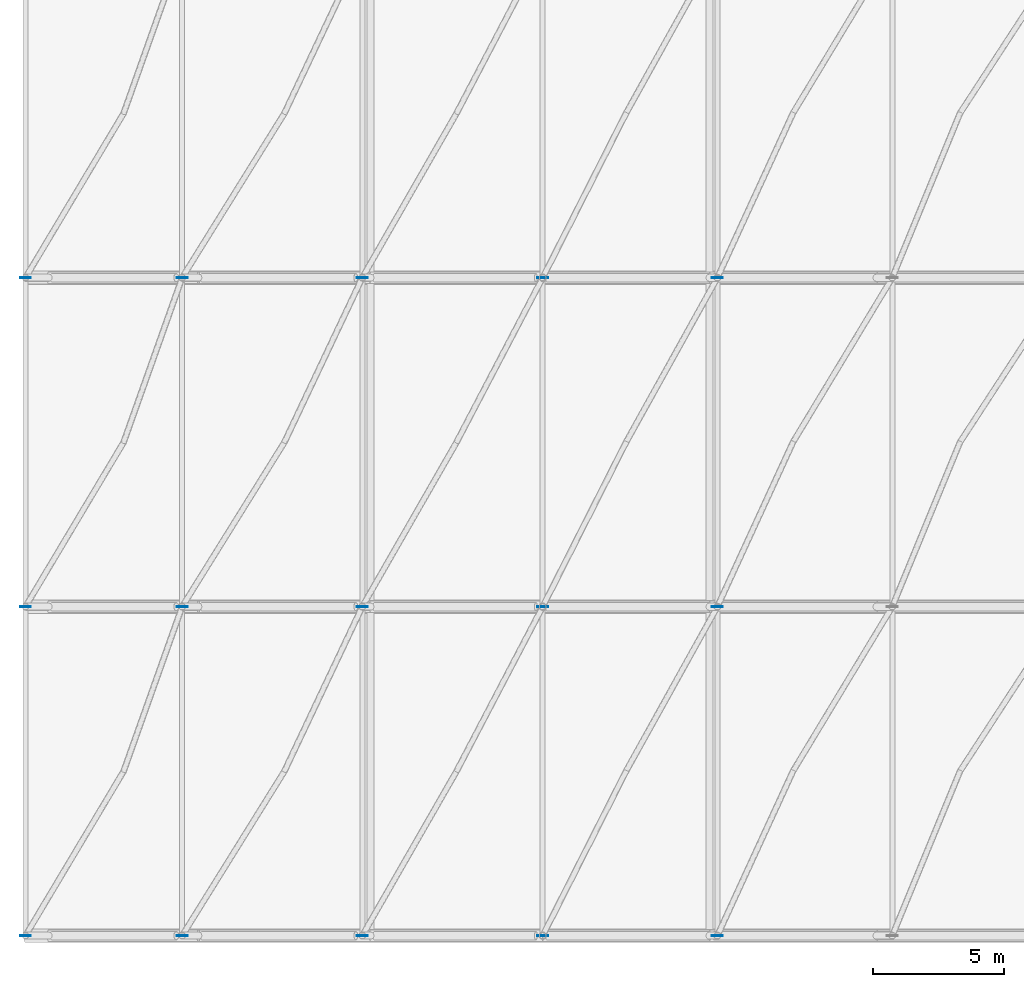
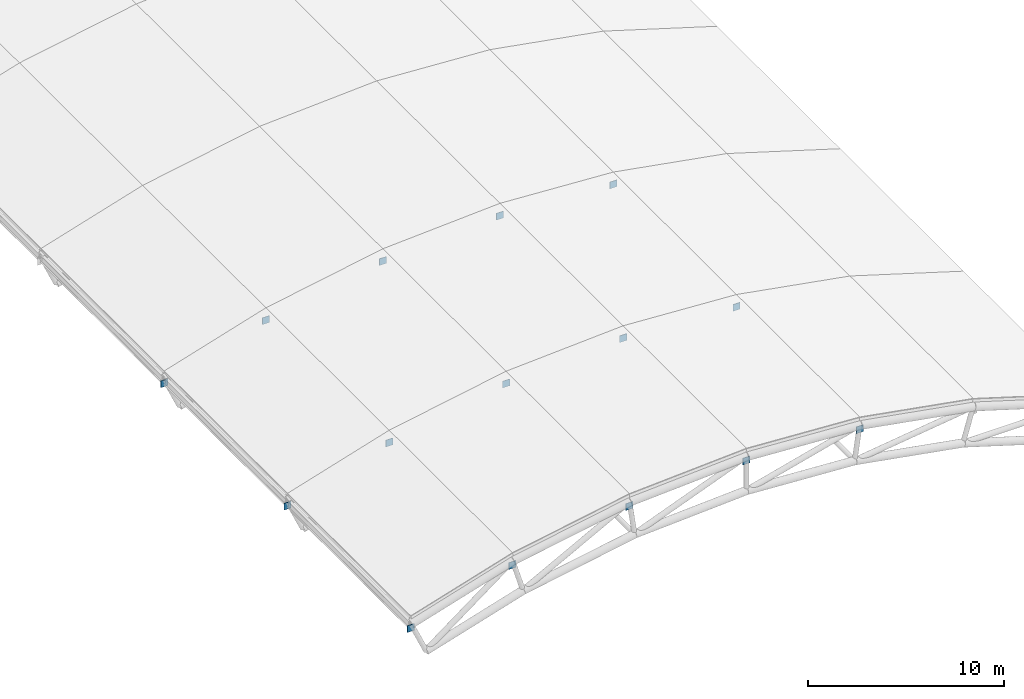
# One storey, part 13 of 18: 15 plates.
"""IFC4 building model written with IfcOpenShell, lengths in metres."""

from ifc_helpers import new_model, si_unit, derived_unit, direction, frame, origin, origin_2d, place, context, subcontext, project, spatial, rectangle, extrude, material, layer, layer_set, type_object, element, save


model = new_model("IFC4")

# Units and contexts
model_context = context("Model", 3, precision=1e-05, world=origin(), true_north=direction((0.0, 1.0)))
body_context = subcontext(model_context, "Body", "Model", "MODEL_VIEW")
ifc_project = project(units=[si_unit("LENGTHUNIT", "METRE"), si_unit("AREAUNIT", "SQUARE_METRE"), si_unit("VOLUMEUNIT", "CUBIC_METRE"), si_unit("PLANEANGLEUNIT", "RADIAN"), si_unit("MASSUNIT", "GRAM", prefix="KILO"), derived_unit("THERMALTRANSMITTANCEUNIT", [(si_unit("MASSUNIT", "GRAM", prefix="KILO"), 1), (si_unit("TIMEUNIT", "SECOND"), -3), (si_unit("THERMODYNAMICTEMPERATUREUNIT", "KELVIN"), -1)])], contexts=[model_context])

# Site, building, storey
site_placement = place(None, origin())
site = spatial("IfcSite", under=ifc_project, at=site_placement, CompositionType="ELEMENT")
building_placement = place(site_placement, origin())
building = spatial("IfcBuilding", under=site, at=building_placement, Name="Valcora Ridge Arena", CompositionType="ELEMENT")
storey_placement = place(building_placement, frame((0.0, 0.0, 39.800048828125)))
storey = spatial("IfcBuildingStorey", under=building, at=storey_placement, Name="RF", CompositionType="ELEMENT", Elevation=39.800048828125)

# Plates
ifc_material = material(Name="Steel ASTM A572 Grade 50", Category="steel")
ifc_layer = layer(ifc_material, 0.031982421875, Name="Steel ASTM A572 Grade 50")
ifc_layer_set = layer_set([ifc_layer], Name="Steel ASTM A572 Grade 50")
plate_type = type_object("IfcPlateType", Name="TY-PLATE-PL-NODE-32", PredefinedType="USERDEFINED", material=ifc_layer_set)
for number, where, z_axis, x_axis, name in (
    (1, (36.0, 20.0, -2.85009765625), (0.0, 0.0, 1.0), (1.0, 0.0, 0.0), "PL-NODE-32 SF-GP-0003"),
    (2, (42.0, 20.0, -1.012939453125), (0.0, 0.0, 1.0), (1.0, 0.0, 0.0), "PL-NODE-32 SF-GP-0004"),
    (3, (48.89990234375, 20.0, 0.25341796875), (0.0, 0.0, 1.0), (1.0, 0.0, 0.0), "PL-NODE-32 SF-GP-0005"),
    (4, (55.81005859375, 20.0, 0.669921875), (0.0, 0.0, 1.0), (1.0, 0.0, 0.0), "PL-NODE-32 SF-GP-0006"),
    (5, (62.5, 20.0, 0.279296875), (0.0, 0.0, 1.0), (1.0, 0.0, 0.0), "PL-NODE-32 SF-GP-0007"),
    (6, (36.0, 32.60009765625, -2.85009765625), (0.0, 0.0, 1.0), (1.0, 0.0, 0.0), "PL-NODE-32 SF-GP-0017"),
    (7, (42.0, 32.60009765625, -1.012939453125), (0.0, 0.0, 1.0), (1.0, 0.0, 0.0), "PL-NODE-32 SF-GP-0018"),
    (8, (48.89990234375, 32.60009765625, 0.25341796875), (0.0, 0.0, 1.0), (1.0, 0.0, 0.0), "PL-NODE-32 SF-GP-0019"),
    (9, (55.81005859375, 32.60009765625, 0.669921875), (0.0, 0.0, 1.0), (1.0, 0.0, 0.0), "PL-NODE-32 SF-GP-0020"),
    (10, (62.5, 32.60009765625, 0.279296875), (0.0, 0.0, 1.0), (1.0, 0.0, 0.0), "PL-NODE-32 SF-GP-0021"),
    (11, (36.0, 45.199951171875, -2.85009765625), (0.0, 0.0, 1.0), (1.0, 0.0, 0.0), "PL-NODE-32 SF-GP-0031"),
    (12, (42.0, 45.199951171875, -1.012939453125), (0.0, 0.0, 1.0), (1.0, 0.0, 0.0), "PL-NODE-32 SF-GP-0032"),
    (13, (48.89990234375, 45.199951171875, 0.25341796875), (0.0, 0.0, 1.0), (1.0, 0.0, 0.0), "PL-NODE-32 SF-GP-0033"),
    (14, (55.81005859375, 45.199951171875, 0.669921875), (0.0, 0.0, 1.0), (1.0, 0.0, 0.0), "PL-NODE-32 SF-GP-0034"),
    (15, (62.5, 45.199951171875, 0.279296875), (0.0, 0.0, 1.0), (1.0, 0.0, 0.0), "PL-NODE-32 SF-GP-0035"),
):
    element("IfcPlate", number, at=place(storey_placement, frame(where, z_axis=z_axis, x_axis=x_axis)), inside=storey, type_object=plate_type, Name=name, ObjectType="GUSSET_PLATE", PredefinedType="USERDEFINED", context=body_context, shape_type="SweptSolid", body=[
        extrude(rectangle(XDim=0.419921875, YDim=0.031982421875, at=origin_2d()), origin(), (0.0, 0.0, 1.0), 0.419921875),
    ])

save(model, "model.ifc")
